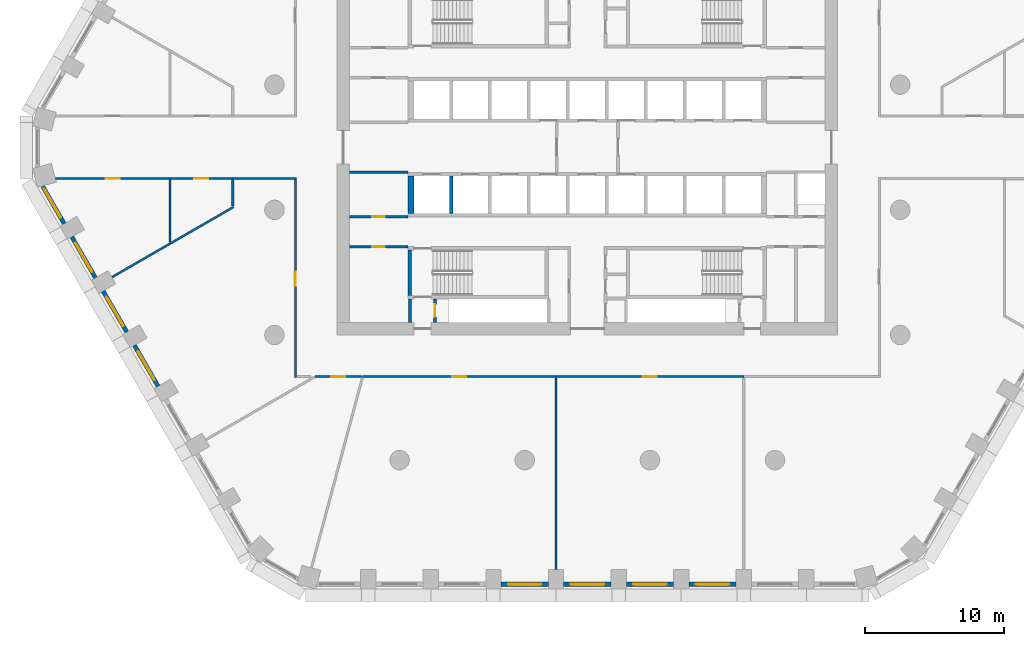
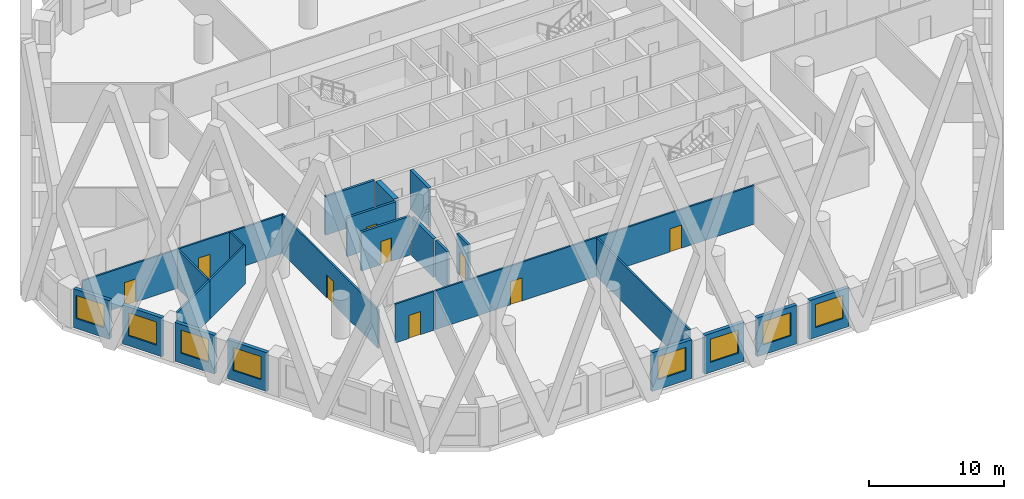
# One storey, part 2 of 18: 28 walls, 9 doors, 8 windows, 17 openings.
"""IFC4 building model written with IfcOpenShell, lengths in metres."""

import ifcopenshell
import ifcopenshell.guid

model = None  # the IFC model being written
_history = None  # IfcOwnerHistory: only IFC2X3 demands one
_inside = {}  # id of a spatial element -> (the spatial element, [elements in it])
_under = {}  # id of a project, library or spatial element -> (it, [spatial elements below it])
_declared = {}  # id of a project -> (the project, [libraries it declares])
_typed = {}  # id of a type object -> (the type object, [elements of that type])
_made_of = {}  # id of a material, layer set ... -> (it, [elements and type objects made of it])


def new_model(schema):
    """Start an empty IFC model of exactly this schema.

    Asked for "IFC4X3", IfcOpenShell would pick the latest addendum, in which some entities
    have other attributes; the version numbers below select the first issue.
    IFC2X3 requires an IfcOwnerHistory on every rooted entity: one is made here for all.
    """
    global model, _history
    if schema == "IFC4X3":
        model = ifcopenshell.file(schema_version=(4, 3, 0, 0))
    else:
        model = ifcopenshell.file(schema=schema)
    _inside.clear()
    _under.clear()
    _declared.clear()
    _typed.clear()
    _made_of.clear()
    _history = None
    if model.schema == "IFC2X3":
        org = make("IfcOrganization", Name="unknown")
        user = make(
            "IfcPersonAndOrganization",
            ThePerson=make("IfcPerson", FamilyName="unknown"),
            TheOrganization=org,
        )
        app = make(
            "IfcApplication",
            ApplicationDeveloper=org,
            Version="unknown",
            ApplicationFullName="unknown",
            ApplicationIdentifier="unknown",
        )
        _history = make(
            "IfcOwnerHistory",
            OwningUser=user,
            OwningApplication=app,
            ChangeAction="ADDED",
            CreationDate=0,
        )
    return model


def make(cls, **values):
    """One entity of the class cls with the attributes given. An attribute that is None is left unset."""
    return model.create_entity(
        cls, **{name: value for name, value in values.items() if value is not None}
    )


def rooted(cls, **values):
    """An entity with a GlobalId (a new one), such as an element, a storey or a relation."""
    return make(cls, GlobalId=ifcopenshell.guid.new(), OwnerHistory=_history, **values)


def si_unit(unit_type, name, prefix=None):
    """IfcSIUnit, for example si_unit("LENGTHUNIT", "METRE", prefix="MILLI")."""
    return make("IfcSIUnit", UnitType=unit_type, Prefix=prefix, Name=name)


def assignment(units):
    """IfcUnitAssignment: the units of a project."""
    return None if units is None else make("IfcUnitAssignment", Units=units)


def point(xyz):
    """IfcCartesianPoint."""
    return None if xyz is None else make("IfcCartesianPoint", Coordinates=xyz)


def direction(xyz):
    """IfcDirection."""
    return None if xyz is None else make("IfcDirection", DirectionRatios=xyz)


def frame(location, z_axis=None, x_axis=None):
    """IfcAxis2Placement3D, a coordinate frame: its origin and axes. An axis left out is left unset."""
    return make(
        "IfcAxis2Placement3D",
        Location=point(location),
        Axis=direction(z_axis),
        RefDirection=direction(x_axis),
    )


def frame_2d(location, x_axis=None):
    """IfcAxis2Placement2D, a coordinate frame in the plane: its origin and x axis."""
    return make(
        "IfcAxis2Placement2D", Location=point(location), RefDirection=direction(x_axis)
    )


def origin():
    """The frame at (0, 0, 0) with its axes left unset."""
    return frame((0.0, 0.0, 0.0))


def place(relative_to, where):
    """IfcLocalPlacement: puts the frame where relative to a parent placement (None: the world)."""
    return make(
        "IfcLocalPlacement", PlacementRelTo=relative_to, RelativePlacement=where
    )


def context(
    kind, dimensions, precision=None, world=None, true_north=None, identifier=None
):
    """IfcGeometricRepresentationContext, for example the 3D "Model" context."""
    return make(
        "IfcGeometricRepresentationContext",
        ContextIdentifier=identifier,
        ContextType=kind,
        CoordinateSpaceDimension=dimensions,
        Precision=precision,
        WorldCoordinateSystem=world,
        TrueNorth=true_north,
    )


def subcontext(parent, identifier, kind, view, scale=None):
    """IfcGeometricRepresentationSubContext, for example "Body" below "Model"."""
    return make(
        "IfcGeometricRepresentationSubContext",
        ContextIdentifier=identifier,
        ContextType=kind,
        ParentContext=parent,
        TargetScale=scale,
        TargetView=view,
    )


def project(units=None, contexts=None):
    """IfcProject with its units and contexts."""
    return rooted(
        "IfcProject",
        Name="project",
        RepresentationContexts=contexts,
        UnitsInContext=assignment(units),
    )


def spatial(cls, under=None, at=None, **own):
    """A site, building, storey or space (cls), placed at a placement, below another one or the project."""
    s = rooted(cls, ObjectPlacement=at, **own)
    if under is not None:
        _under.setdefault(under.id(), (under, []))[1].append(s)
    return s


def polyline(points):
    """IfcPolyline through the points."""
    return make("IfcPolyline", Points=[point(p) for p in points])


def profile(cls, at=None, kind="AREA", **sizes):
    """A parametric profile (cls). Its sizes go by their IFC names, for example OverallWidth=200.0."""
    return make(cls, ProfileType=kind, Position=at, **sizes)


def rectangle(**sizes):
    """IfcRectangleProfileDef."""
    return profile("IfcRectangleProfileDef", **sizes)


def outline(outer, holes=None, kind="AREA"):
    """IfcArbitraryClosedProfileDef: a profile drawn as a closed curve; with holes, ...WithVoids."""
    if holes is None:
        return make("IfcArbitraryClosedProfileDef", ProfileType=kind, OuterCurve=outer)
    return make(
        "IfcArbitraryProfileDefWithVoids",
        ProfileType=kind,
        OuterCurve=outer,
        InnerCurves=holes,
    )


def extrude(swept, where, along, depth):
    """IfcExtrudedAreaSolid: the profile swept, set in the frame where, extruded along a direction by depth."""
    return make(
        "IfcExtrudedAreaSolid",
        SweptArea=swept,
        Position=where,
        ExtrudedDirection=direction(along),
        Depth=depth,
    )


def shape(context_of_items, identifier, shape_type, items):
    """IfcShapeRepresentation: the items that make up one representation, for example the "Body"."""
    return make(
        "IfcShapeRepresentation",
        ContextOfItems=context_of_items,
        RepresentationIdentifier=identifier,
        RepresentationType=shape_type,
        Items=items,
    )


def material(Name=None, Category=None):
    """IfcMaterial."""
    return make("IfcMaterial", Name=Name, Category=Category)


def layer(
    of_material, thickness, ventilated=None, Name=None, Category=None, Priority=None
):
    """IfcMaterialLayer: one layer of a wall or slab, of a material (None: an air gap)."""
    return make(
        "IfcMaterialLayer",
        Material=of_material,
        LayerThickness=thickness,
        IsVentilated=ventilated,
        Name=Name,
        Category=Category,
        Priority=Priority,
    )


def layer_set(layers, Name=None):
    """IfcMaterialLayerSet."""
    return make("IfcMaterialLayerSet", MaterialLayers=layers, LayerSetName=Name)


def made_of(thing, what):
    """Note that an element or type object is made of a material, layer set ...; save() writes the relation."""
    if what is not None:
        _made_of.setdefault(what.id(), (what, []))[1].append(thing)
    return thing


def type_object(cls, material=None, **own):
    """A type object (cls), such as IfcWallType, which elements share."""
    return made_of(rooted(cls, **own), material)


def element(
    cls,
    number,
    at=None,
    inside=None,
    cuts=None,
    type_object=None,
    material=None,
    context=None,
    identifier="Body",
    shape_type=None,
    held_by="IfcProductDefinitionShape",
    body=None,
    shapes=None,
    **own,
):
    """One element of the class cls, such as IfcWall. Its Tag is "e" and its number.

    at: its placement. inside: the storey or other place that contains it. cuts: it is an
    opening in that element (IfcRelVoidsElement). A single representation is given by context,
    identifier, shape_type and body (its items); several are given by shapes. held_by: the class
    of the entity that holds the representations. save() writes the other relations.
    """
    e = rooted(cls, Tag="e%d" % number, ObjectPlacement=at, **own)
    if body is not None:
        shapes = [shape(context, identifier, shape_type, body)]
    if shapes is not None:
        e.Representation = make(held_by, Representations=shapes)
    if inside is not None:
        _inside.setdefault(inside.id(), (inside, []))[1].append(e)
    if cuts is not None:
        rooted(
            "IfcRelVoidsElement", RelatingBuildingElement=cuts, RelatedOpeningElement=e
        )
    if type_object is not None:
        _typed.setdefault(type_object.id(), (type_object, []))[1].append(e)
    return made_of(e, material)


def fill(opening, filler):
    """IfcRelFillsElement: the door or window that sits in an opening."""
    return rooted(
        "IfcRelFillsElement",
        RelatingOpeningElement=opening,
        RelatedBuildingElement=filler,
    )


def aggregate(whole, parts):
    """IfcRelAggregates: a whole, such as a stair, and the parts it consists of."""
    return rooted("IfcRelAggregates", RelatingObject=whole, RelatedObjects=parts)


def save(model, path):
    """Write the relations noted so far, then the file.

    IfcRelAggregates (storeys below a building ...), IfcRelContainedInSpatialStructure (elements
    in a storey), IfcRelDefinesByType, IfcRelAssociatesMaterial and IfcRelDeclares: one each for
    every whole, place, type object, material and project.
    """
    for whole, parts in _under.values():
        aggregate(whole, parts)
    for where, things in _inside.values():
        rooted(
            "IfcRelContainedInSpatialStructure",
            RelatedElements=things,
            RelatingStructure=where,
        )
    for kind, things in _typed.values():
        rooted("IfcRelDefinesByType", RelatedObjects=things, RelatingType=kind)
    for what, things in _made_of.values():
        rooted("IfcRelAssociatesMaterial", RelatedObjects=things, RelatingMaterial=what)
    for by, libraries in _declared.values():
        rooted("IfcRelDeclares", RelatingContext=by, RelatedDefinitions=libraries)
    model.write(path)


model = new_model("IFC4")

# Units and contexts
model_context = context("Model", 3, precision=1e-05, world=origin(), true_north=direction((0.0, 1.0)))
body_context = subcontext(model_context, "Body", "Model", "MODEL_VIEW")
ifc_project = project(units=[si_unit("LENGTHUNIT", "METRE"), si_unit("AREAUNIT", "SQUARE_METRE"), si_unit("VOLUMEUNIT", "CUBIC_METRE"), si_unit("PLANEANGLEUNIT", "RADIAN"), si_unit("MASSUNIT", "GRAM", prefix="KILO")], contexts=[model_context])

# Site, building, storey
site_placement = place(None, origin())
site = spatial("IfcSite", under=ifc_project, at=site_placement, CompositionType="ELEMENT")
building_placement = place(site_placement, origin())
building = spatial("IfcBuilding", under=site, at=building_placement, Name="Dhurran Vertical Campus", CompositionType="ELEMENT")
storey_placement = place(building_placement, frame((0.0, 0.0, 30.0)))
storey = spatial("IfcBuildingStorey", under=building, at=storey_placement, Name="L06", CompositionType="ELEMENT", Elevation=30.0)

# Wall, opening, window
ifc_material_1 = material(Name="Precast concrete C50/60", Category="concrete")
ifc_layer_1 = layer(ifc_material_1, 0.300048828125)
ifc_layer_set_1 = layer_set([ifc_layer_1], Name="Precast concrete C50/60")
wall_type_1 = type_object("IfcWallType", Name="Precast spandrel wall 300", PredefinedType="SOLIDWALL", material=ifc_layer_set_1)
wall_1_placement = place(storey_placement, frame((-6.199462890625, -31.4296875, 0.0), z_axis=(0.0, 0.0, 1.0), x_axis=(1.0, 0.0, 0.0)))
wall_1 = element("IfcWall", 1, at=wall_1_placement, inside=storey, type_object=wall_type_1, Name="EW1 L06.03", PredefinedType="SOLIDWALL", context=body_context, shape_type="SweptSolid", body=[
    extrude(rectangle(XDim=3.39892578125, YDim=0.300048828125, at=frame_2d((1.699462890625, 0.0))), origin(), (0.0, 0.0, 1.0), 3.52490234375),
])
opening_1_placement = place(wall_1_placement, frame((0.49951171875, 0.0, 0.89990234375)))
opening_1 = element("IfcOpeningElement", 2, at=opening_1_placement, cuts=wall_1, Name="Opening WT1", PredefinedType="OPENING", context=body_context, shape_type="SweptSolid", body=[
    extrude(rectangle(XDim=2.39990234375, YDim=2.10009765625, at=frame_2d((1.199951171875, 1.050048828125))), frame((0.0, 0.159912109375, 0.0), z_axis=(0.0, -1.0, 0.0), x_axis=(1.0, 0.0, 0.0)), (0.0, 0.0, 1.0), 0.320068359375),
])
ifc_material_2 = material(Name="Aluminium frame with solar-control glass", Category="aluminium")
window_type = type_object("IfcWindowType", Name="Punched window 2400 x 2100", PartitioningType="SINGLE_PANEL", PredefinedType="WINDOW", material=ifc_material_2)
window_1_placement = place(opening_1_placement, origin())
window_1 = element("IfcWindow", 3, at=window_1_placement, inside=storey, type_object=window_type, Name="WT1 L06.03", OverallHeight=2.10009765625, OverallWidth=2.39990234375, PartitioningType="SINGLE_PANEL", PredefinedType="WINDOW", context=body_context, shape_type="SweptSolid", body=[
    extrude(rectangle(XDim=2.39990234375, YDim=2.10009765625, at=frame_2d((1.199951171875, 1.050048828125))), frame((0.0, 0.030029296875, 0.0), z_axis=(0.0, -1.0, 0.0), x_axis=(1.0, 0.0, 0.0)), (0.0, 0.0, 1.0), 0.06005859375),
])
fill(opening_1, window_1)

wall_2_placement = place(storey_placement, frame((-1.699462890625, -31.4296875, 0.0), z_axis=(0.0, 0.0, 1.0), x_axis=(1.0, 0.0, 0.0)))
wall_2 = element("IfcWall", 4, at=wall_2_placement, inside=storey, type_object=wall_type_1, Name="EW1 L06.04", PredefinedType="SOLIDWALL", context=body_context, shape_type="SweptSolid", body=[
    extrude(rectangle(XDim=3.39892578125, YDim=0.300048828125, at=frame_2d((1.699462890625, 0.0))), origin(), (0.0, 0.0, 1.0), 3.52490234375),
])
opening_2_placement = place(wall_2_placement, frame((0.49951171875, 0.0, 0.89990234375)))
opening_2 = element("IfcOpeningElement", 5, at=opening_2_placement, cuts=wall_2, Name="Opening WT1", PredefinedType="OPENING", context=body_context, shape_type="SweptSolid", body=[
    extrude(rectangle(XDim=2.39990234375, YDim=2.10009765625, at=frame_2d((1.199951171875, 1.050048828125))), frame((0.0, 0.159912109375, 0.0), z_axis=(0.0, -1.0, 0.0), x_axis=(1.0, 0.0, 0.0)), (0.0, 0.0, 1.0), 0.320068359375),
])
window_2_placement = place(opening_2_placement, origin())
window_2 = element("IfcWindow", 6, at=window_2_placement, inside=storey, type_object=window_type, Name="WT1 L06.04", OverallHeight=2.10009765625, OverallWidth=2.39990234375, PartitioningType="SINGLE_PANEL", PredefinedType="WINDOW", context=body_context, shape_type="SweptSolid", body=[
    extrude(rectangle(XDim=2.39990234375, YDim=2.10009765625, at=frame_2d((1.199951171875, 1.050048828125))), frame((0.0, 0.030029296875, 0.0), z_axis=(0.0, -1.0, 0.0), x_axis=(1.0, 0.0, 0.0)), (0.0, 0.0, 1.0), 0.06005859375),
])
fill(opening_2, window_2)

wall_3_placement = place(storey_placement, frame((2.800537109375, -31.4296875, 0.0), z_axis=(0.0, 0.0, 1.0), x_axis=(1.0, 0.0, 0.0)))
wall_3 = element("IfcWall", 7, at=wall_3_placement, inside=storey, type_object=wall_type_1, Name="EW1 L06.05", PredefinedType="SOLIDWALL", context=body_context, shape_type="SweptSolid", body=[
    extrude(rectangle(XDim=3.39892578125, YDim=0.300048828125, at=frame_2d((1.699462890625, 0.0))), origin(), (0.0, 0.0, 1.0), 3.52490234375),
])
opening_3_placement = place(wall_3_placement, frame((0.49951171875, 0.0, 0.89990234375)))
opening_3 = element("IfcOpeningElement", 8, at=opening_3_placement, cuts=wall_3, Name="Opening WT1", PredefinedType="OPENING", context=body_context, shape_type="SweptSolid", body=[
    extrude(rectangle(XDim=2.39990234375, YDim=2.10009765625, at=frame_2d((1.199951171875, 1.050048828125))), frame((0.0, 0.159912109375, 0.0), z_axis=(0.0, -1.0, 0.0), x_axis=(1.0, 0.0, 0.0)), (0.0, 0.0, 1.0), 0.320068359375),
])
window_3_placement = place(opening_3_placement, origin())
window_3 = element("IfcWindow", 9, at=window_3_placement, inside=storey, type_object=window_type, Name="WT1 L06.05", OverallHeight=2.10009765625, OverallWidth=2.39990234375, PartitioningType="SINGLE_PANEL", PredefinedType="WINDOW", context=body_context, shape_type="SweptSolid", body=[
    extrude(rectangle(XDim=2.39990234375, YDim=2.10009765625, at=frame_2d((1.199951171875, 1.050048828125))), frame((0.0, 0.030029296875, 0.0), z_axis=(0.0, -1.0, 0.0), x_axis=(1.0, 0.0, 0.0)), (0.0, 0.0, 1.0), 0.06005859375),
])
fill(opening_3, window_3)

wall_4_placement = place(storey_placement, frame((7.300537109375, -31.4296875, 0.0), z_axis=(0.0, 0.0, 1.0), x_axis=(1.0, 0.0, 0.0)))
wall_4 = element("IfcWall", 10, at=wall_4_placement, inside=storey, type_object=wall_type_1, Name="EW1 L06.06", PredefinedType="SOLIDWALL", context=body_context, shape_type="SweptSolid", body=[
    extrude(rectangle(XDim=3.39892578125, YDim=0.300048828125, at=frame_2d((1.699462890625, 0.0))), origin(), (0.0, 0.0, 1.0), 3.52490234375),
])
opening_4_placement = place(wall_4_placement, frame((0.49951171875, 0.0, 0.89990234375)))
opening_4 = element("IfcOpeningElement", 11, at=opening_4_placement, cuts=wall_4, Name="Opening WT1", PredefinedType="OPENING", context=body_context, shape_type="SweptSolid", body=[
    extrude(rectangle(XDim=2.39990234375, YDim=2.10009765625, at=frame_2d((1.199951171875, 1.050048828125))), frame((0.0, 0.159912109375, 0.0), z_axis=(0.0, -1.0, 0.0), x_axis=(1.0, 0.0, 0.0)), (0.0, 0.0, 1.0), 0.320068359375),
])
window_4_placement = place(opening_4_placement, origin())
window_4 = element("IfcWindow", 12, at=window_4_placement, inside=storey, type_object=window_type, Name="WT1 L06.06", OverallHeight=2.10009765625, OverallWidth=2.39990234375, PartitioningType="SINGLE_PANEL", PredefinedType="WINDOW", context=body_context, shape_type="SweptSolid", body=[
    extrude(rectangle(XDim=2.39990234375, YDim=2.10009765625, at=frame_2d((1.199951171875, 1.050048828125))), frame((0.0, 0.030029296875, 0.0), z_axis=(0.0, -1.0, 0.0), x_axis=(1.0, 0.0, 0.0)), (0.0, 0.0, 1.0), 0.06005859375),
])
fill(opening_4, window_4)

wall_5_placement = place(storey_placement, frame((-39.16455078125, -2.81884765625, 0.0), z_axis=(0.0, 0.0, 1.0), x_axis=(0.49997090907, -0.866042198789, 0.0)))
wall_5 = element("IfcWall", 13, at=wall_5_placement, inside=storey, type_object=wall_type_1, Name="EW1 L06.44", PredefinedType="SOLIDWALL", context=body_context, shape_type="SweptSolid", body=[
    extrude(rectangle(XDim=3.090576171875, YDim=0.300048828125, at=frame_2d((1.54541015625, 0.0))), origin(), (0.0, 0.0, 1.0), 3.52490234375),
])
opening_5_placement = place(wall_5_placement, frame((0.19091796875, 0.0, 0.89990234375)))
opening_5 = element("IfcOpeningElement", 14, at=opening_5_placement, cuts=wall_5, Name="Opening WT1", PredefinedType="OPENING", context=body_context, shape_type="SweptSolid", body=[
    extrude(rectangle(XDim=2.39990234375, YDim=2.10009765625, at=frame_2d((1.199951171875, 1.050048828125))), frame((0.0, 0.159912109375, 0.0), z_axis=(0.0, -1.0, 0.0), x_axis=(1.0, 0.0, 0.0)), (0.0, 0.0, 1.0), 0.320068359375),
])
window_5_placement = place(opening_5_placement, origin())
window_5 = element("IfcWindow", 15, at=window_5_placement, inside=storey, type_object=window_type, Name="WT1 L06.44", OverallHeight=2.10009765625, OverallWidth=2.39990234375, PartitioningType="SINGLE_PANEL", PredefinedType="WINDOW", context=body_context, shape_type="SweptSolid", body=[
    extrude(rectangle(XDim=2.39990234375, YDim=2.10009765625, at=frame_2d((1.199951171875, 1.050048828125))), frame((0.0, 0.030029296875, 0.0), z_axis=(0.0, -1.0, 0.0), x_axis=(1.0, 0.0, 0.0)), (0.0, 0.0, 1.0), 0.06005859375),
])
fill(opening_5, window_5)

wall_6_placement = place(storey_placement, frame((-37.06884765625, -6.448974609375, 0.0), z_axis=(0.0, 0.0, 1.0), x_axis=(0.499993955907, -0.866028893315, 0.0)))
wall_6 = element("IfcWall", 16, at=wall_6_placement, inside=storey, type_object=wall_type_1, Name="EW1 L06.45", PredefinedType="SOLIDWALL", context=body_context, shape_type="SweptSolid", body=[
    extrude(rectangle(XDim=3.39892578125, YDim=0.300048828125, at=frame_2d((1.699462890625, 0.0))), origin(), (0.0, 0.0, 1.0), 3.52490234375),
])
opening_6_placement = place(wall_6_placement, frame((0.49951171875, 0.0, 0.89990234375)))
opening_6 = element("IfcOpeningElement", 17, at=opening_6_placement, cuts=wall_6, Name="Opening WT1", PredefinedType="OPENING", context=body_context, shape_type="SweptSolid", body=[
    extrude(rectangle(XDim=2.39990234375, YDim=2.10009765625, at=frame_2d((1.199951171875, 1.050048828125))), frame((0.0, 0.159912109375, 0.0), z_axis=(0.0, -1.0, 0.0), x_axis=(1.0, 0.0, 0.0)), (0.0, 0.0, 1.0), 0.320068359375),
])
window_6_placement = place(opening_6_placement, origin())
window_6 = element("IfcWindow", 18, at=window_6_placement, inside=storey, type_object=window_type, Name="WT1 L06.45", OverallHeight=2.10009765625, OverallWidth=2.39990234375, PartitioningType="SINGLE_PANEL", PredefinedType="WINDOW", context=body_context, shape_type="SweptSolid", body=[
    extrude(rectangle(XDim=2.39990234375, YDim=2.10009765625, at=frame_2d((1.199951171875, 1.050048828125))), frame((0.0, 0.030029296875, 0.0), z_axis=(0.0, -1.0, 0.0), x_axis=(1.0, 0.0, 0.0)), (0.0, 0.0, 1.0), 0.06005859375),
])
fill(opening_6, window_6)

wall_7_placement = place(storey_placement, frame((-34.81884765625, -10.345947265625, 0.0), z_axis=(0.0, 0.0, 1.0), x_axis=(0.499993955907, -0.866028893315, 0.0)))
wall_7 = element("IfcWall", 19, at=wall_7_placement, inside=storey, type_object=wall_type_1, Name="EW1 L06.46", PredefinedType="SOLIDWALL", context=body_context, shape_type="SweptSolid", body=[
    extrude(rectangle(XDim=3.39892578125, YDim=0.300048828125, at=frame_2d((1.699462890625, 0.0))), origin(), (0.0, 0.0, 1.0), 3.52490234375),
])
opening_7_placement = place(wall_7_placement, frame((0.49951171875, 0.0, 0.89990234375)))
opening_7 = element("IfcOpeningElement", 20, at=opening_7_placement, cuts=wall_7, Name="Opening WT1", PredefinedType="OPENING", context=body_context, shape_type="SweptSolid", body=[
    extrude(rectangle(XDim=2.39990234375, YDim=2.10009765625, at=frame_2d((1.199951171875, 1.050048828125))), frame((0.0, 0.159912109375, 0.0), z_axis=(0.0, -1.0, 0.0), x_axis=(1.0, 0.0, 0.0)), (0.0, 0.0, 1.0), 0.320068359375),
])
window_7_placement = place(opening_7_placement, origin())
window_7 = element("IfcWindow", 21, at=window_7_placement, inside=storey, type_object=window_type, Name="WT1 L06.46", OverallHeight=2.10009765625, OverallWidth=2.39990234375, PartitioningType="SINGLE_PANEL", PredefinedType="WINDOW", context=body_context, shape_type="SweptSolid", body=[
    extrude(rectangle(XDim=2.39990234375, YDim=2.10009765625, at=frame_2d((1.199951171875, 1.050048828125))), frame((0.0, 0.030029296875, 0.0), z_axis=(0.0, -1.0, 0.0), x_axis=(1.0, 0.0, 0.0)), (0.0, 0.0, 1.0), 0.06005859375),
])
fill(opening_7, window_7)

wall_8_placement = place(storey_placement, frame((-32.56884765625, -14.2431640625, 0.0), z_axis=(0.0, 0.0, 1.0), x_axis=(0.499993955907, -0.866028893315, 0.0)))
wall_8 = element("IfcWall", 22, at=wall_8_placement, inside=storey, type_object=wall_type_1, Name="EW1 L06.47", PredefinedType="SOLIDWALL", context=body_context, shape_type="SweptSolid", body=[
    extrude(rectangle(XDim=3.39892578125, YDim=0.300048828125, at=frame_2d((1.699462890625, 0.0))), origin(), (0.0, 0.0, 1.0), 3.52490234375),
])
opening_8_placement = place(wall_8_placement, frame((0.49951171875, 0.0, 0.89990234375)))
opening_8 = element("IfcOpeningElement", 23, at=opening_8_placement, cuts=wall_8, Name="Opening WT1", PredefinedType="OPENING", context=body_context, shape_type="SweptSolid", body=[
    extrude(rectangle(XDim=2.39990234375, YDim=2.10009765625, at=frame_2d((1.199951171875, 1.050048828125))), frame((0.0, 0.159912109375, 0.0), z_axis=(0.0, -1.0, 0.0), x_axis=(1.0, 0.0, 0.0)), (0.0, 0.0, 1.0), 0.320068359375),
])
window_8_placement = place(opening_8_placement, origin())
window_8 = element("IfcWindow", 24, at=window_8_placement, inside=storey, type_object=window_type, Name="WT1 L06.47", OverallHeight=2.10009765625, OverallWidth=2.39990234375, PartitioningType="SINGLE_PANEL", PredefinedType="WINDOW", context=body_context, shape_type="SweptSolid", body=[
    extrude(rectangle(XDim=2.39990234375, YDim=2.10009765625, at=frame_2d((1.199951171875, 1.050048828125))), frame((0.0, 0.030029296875, 0.0), z_axis=(0.0, -1.0, 0.0), x_axis=(1.0, 0.0, 0.0)), (0.0, 0.0, 1.0), 0.06005859375),
])
fill(opening_8, window_8)

# Wall
ifc_material_3 = material(Name="Fire-rated masonry blockwork", Category="masonry")
ifc_layer_2 = layer(ifc_material_3, 0.199951171875)
ifc_layer_set_2 = layer_set([ifc_layer_2], Name="Fire-rated masonry blockwork")
wall_type_2 = type_object("IfcWallType", Name="co-FIRE-PARTITION-200", PredefinedType="PARTITIONING", material=ifc_layer_set_2)
wall_9_placement = place(storey_placement, frame((-12.75, -12.60009765625, 0.0), z_axis=(0.0, 0.0, 1.0), x_axis=(0.0, 1.0, 0.0)))
element("IfcWall", 25, at=wall_9_placement, inside=storey, type_object=wall_type_2, Name="Core partition pass-ST3-o L06", PredefinedType="PARTITIONING", context=body_context, shape_type="SweptSolid", body=[
    extrude(rectangle(XDim=1.7001953125, YDim=0.199951171875, at=frame_2d((0.85009765625, 0.0))), origin(), (0.0, 0.0, 1.0), 3.52490234375),
])

# Wall, opening, door
wall_10_placement = place(storey_placement, frame((-10.949951171875, -12.60009765625, 0.0), z_axis=(0.0, 0.0, 1.0), x_axis=(0.0, 1.0, 0.0)))
wall_10 = element("IfcWall", 26, at=wall_10_placement, inside=storey, type_object=wall_type_2, Name="Core partition pass-ST3-i L06", PredefinedType="PARTITIONING", context=body_context, shape_type="SweptSolid", body=[
    extrude(rectangle(XDim=1.7001953125, YDim=0.199951171875, at=frame_2d((0.85009765625, 0.0))), origin(), (0.0, 0.0, 1.0), 3.52490234375),
])
opening_9_placement = place(wall_10_placement, frame((0.39990234375, 0.0, 0.0)))
opening_9 = element("IfcOpeningElement", 27, at=opening_9_placement, cuts=wall_10, Name="Opening T01-C11", PredefinedType="OPENING", context=body_context, shape_type="SweptSolid", body=[
    extrude(rectangle(XDim=0.89990234375, YDim=2.10009765625, at=frame_2d((0.449951171875, 1.050048828125))), frame((0.0, 0.10986328125, 0.0), z_axis=(0.0, -1.0, 0.0), x_axis=(1.0, 0.0, 0.0)), (0.0, 0.0, 1.0), 0.219970703125),
])
ifc_material_4 = material(Name="Fire-rated timber door set", Category="wood")
door_type_1 = type_object("IfcDoorType", Name="co-D-ROOM 900x2100", OperationType="SINGLE_SWING_LEFT", PredefinedType="DOOR", material=ifc_material_4)
door_1_placement = place(opening_9_placement, origin())
door_1 = element("IfcDoor", 28, at=door_1_placement, inside=storey, type_object=door_type_1, Name="Riser room door L06", OperationType="SINGLE_SWING_LEFT", OverallHeight=2.10009765625, OverallWidth=0.89990234375, PredefinedType="DOOR", context=body_context, shape_type="SweptSolid", body=[
    extrude(rectangle(XDim=0.89990234375, YDim=2.10009765625, at=frame_2d((0.449951171875, 1.050048828125))), frame((0.0, 0.02490234375, 0.0), z_axis=(0.0, -1.0, 0.0), x_axis=(1.0, 0.0, 0.0)), (0.0, 0.0, 1.0), 0.050048828125),
])
fill(opening_9, door_1)

wall_11_placement = place(storey_placement, frame((-17.10009765625, -7.14990234375, 0.0), z_axis=(0.0, 0.0, 1.0), x_axis=(1.0, 0.0, 0.0)))
wall_11 = element("IfcWall", 29, at=wall_11_placement, inside=storey, type_object=wall_type_2, Name="Core partition en-SW-w L06", PredefinedType="PARTITIONING", context=body_context, shape_type="SweptSolid", body=[
    extrude(rectangle(XDim=4.2001953125, YDim=0.199951171875, at=frame_2d((2.10009765625, 0.0))), origin(), (0.0, 0.0, 1.0), 3.52490234375),
])
opening_10_placement = place(wall_11_placement, frame((1.64990234375, 0.0, 0.0)))
opening_10 = element("IfcOpeningElement", 30, at=opening_10_placement, cuts=wall_11, Name="Opening T01-C17", PredefinedType="OPENING", context=body_context, shape_type="SweptSolid", body=[
    extrude(rectangle(XDim=0.89990234375, YDim=2.10009765625, at=frame_2d((0.449951171875, 1.050048828125))), frame((0.0, 0.10986328125, 0.0), z_axis=(0.0, -1.0, 0.0), x_axis=(1.0, 0.0, 0.0)), (0.0, 0.0, 1.0), 0.219970703125),
])
door_2_placement = place(opening_10_placement, origin())
door_2 = element("IfcDoor", 31, at=door_2_placement, inside=storey, type_object=door_type_1, Name="Cleaner's store door L06", OperationType="SINGLE_SWING_LEFT", OverallHeight=2.10009765625, OverallWidth=0.89990234375, PredefinedType="DOOR", context=body_context, shape_type="SweptSolid", body=[
    extrude(rectangle(XDim=0.89990234375, YDim=2.10009765625, at=frame_2d((0.449951171875, 1.050048828125))), frame((0.0, 0.02490234375, 0.0), z_axis=(0.0, -1.0, 0.0), x_axis=(1.0, 0.0, 0.0)), (0.0, 0.0, 1.0), 0.050048828125),
])
fill(opening_10, door_2)

wall_12_placement = place(storey_placement, frame((-17.10009765625, -5.0, 0.0), z_axis=(0.0, 0.0, 1.0), x_axis=(1.0, 0.0, 0.0)))
wall_12 = element("IfcWall", 32, at=wall_12_placement, inside=storey, type_object=wall_type_2, Name="Core partition es-SW-w L06", PredefinedType="PARTITIONING", context=body_context, shape_type="SweptSolid", body=[
    extrude(rectangle(XDim=4.2001953125, YDim=0.199951171875, at=frame_2d((2.10009765625, 0.0))), origin(), (0.0, 0.0, 1.0), 3.52490234375),
])
opening_11_placement = place(wall_12_placement, frame((1.64990234375, 0.0, 0.0)))
opening_11 = element("IfcOpeningElement", 33, at=opening_11_placement, cuts=wall_12, Name="Opening T01-C18", PredefinedType="OPENING", context=body_context, shape_type="SweptSolid", body=[
    extrude(rectangle(XDim=0.89990234375, YDim=2.10009765625, at=frame_2d((0.449951171875, 1.050048828125))), frame((0.0, 0.10986328125, 0.0), z_axis=(0.0, -1.0, 0.0), x_axis=(1.0, 0.0, 0.0)), (0.0, 0.0, 1.0), 0.219970703125),
])
door_3_placement = place(opening_11_placement, origin())
door_3 = element("IfcDoor", 34, at=door_3_placement, inside=storey, type_object=door_type_1, Name="Server room door L06", OperationType="SINGLE_SWING_LEFT", OverallHeight=2.10009765625, OverallWidth=0.89990234375, PredefinedType="DOOR", context=body_context, shape_type="SweptSolid", body=[
    extrude(rectangle(XDim=0.89990234375, YDim=2.10009765625, at=frame_2d((0.449951171875, 1.050048828125))), frame((0.0, 0.02490234375, 0.0), z_axis=(0.0, -1.0, 0.0), x_axis=(1.0, 0.0, 0.0)), (0.0, 0.0, 1.0), 0.050048828125),
])
fill(opening_11, door_3)

# Walls
wall_13_placement = place(storey_placement, frame((-17.10009765625, -1.800048828125, 0.0), z_axis=(0.0, 0.0, 1.0), x_axis=(1.0, 0.0, 0.0)))
element("IfcWall", 35, at=wall_13_placement, inside=storey, type_object=wall_type_2, Name="Core partition es-SW-l L06", PredefinedType="PARTITIONING", context=body_context, shape_type="SweptSolid", body=[
    extrude(rectangle(XDim=4.2001953125, YDim=0.199951171875, at=frame_2d((2.10009765625, 0.0))), origin(), (0.0, 0.0, 1.0), 3.52490234375),
])
ifc_material_5 = material(Name="Concrete C50/60", Category="concrete")
ifc_layer_3 = layer(ifc_material_5, 0.25)
ifc_layer_set_3 = layer_set([ifc_layer_3], Name="Concrete C50/60")
wall_type_3 = type_object("IfcWallType", Name="co-SHAFT-MASS-250", PredefinedType="SHEAR", material=ifc_layer_set_3)
wall_14_placement = place(storey_placement, origin())
element("IfcWall", 36, at=wall_14_placement, inside=storey, type_object=wall_type_3, Name="Lift shaft wall S L06 2", PredefinedType="SHEAR", context=body_context, shape_type="SweptSolid", body=[
    extrude(outline(polyline([(-12.89990234375, -4.75), (-12.47509765625, -4.75), (-12.47509765625, -2.050048828125), (-12.89990234375, -2.050048828125), (-12.89990234375, -4.75)])), origin(), (0.0, 0.0, 1.0), 3.52490234375),
])
wall_15_placement = place(storey_placement, origin())
element("IfcWall", 37, at=wall_15_placement, inside=storey, type_object=wall_type_3, Name="Lift shaft wall S L06 3", PredefinedType="SHEAR", context=body_context, shape_type="SweptSolid", body=[
    extrude(outline(polyline([(-9.925048828125, -4.75), (-9.675048828125, -4.75), (-9.675048828125, -2.050048828125), (-9.925048828125, -2.050048828125), (-9.925048828125, -4.75)])), origin(), (0.0, 0.0, 1.0), 3.52490234375),
])
ifc_material_6 = material(Name="Concrete C40/50", Category="concrete")
ifc_layer_4 = layer(ifc_material_6, 0.25)
ifc_layer_set_4 = layer_set([ifc_layer_4], Name="Concrete C40/50")
wall_type_4 = type_object("IfcWallType", Name="co-STAIR-WALL-250", PredefinedType="SHEAR", material=ifc_layer_set_4)
wall_16_placement = place(storey_placement, frame((-12.77490234375, -10.64990234375, 0.0), z_axis=(0.0, 0.0, 1.0), x_axis=(0.0, 1.0, 0.0)))
element("IfcWall", 38, at=wall_16_placement, inside=storey, type_object=wall_type_4, Name="Stair ST3 enclosure wall L06", PredefinedType="SHEAR", context=body_context, shape_type="SweptSolid", body=[
    extrude(rectangle(XDim=3.25, YDim=0.25, at=frame_2d((1.625, 0.0))), origin(), (0.0, 0.0, 1.0), 3.52490234375),
])

# Wall, opening, door
ifc_material_7 = material(Name="Gypsum board corridor wall on steel studs", Category="steel")
ifc_layer_5 = layer(ifc_material_7, 0.14990234375)
ifc_layer_set_5 = layer_set([ifc_layer_5], Name="Gypsum board corridor wall on steel studs")
wall_type_5 = type_object("IfcWallType", Name="fl-CW-150 corridor wall", PredefinedType="PARTITIONING", material=ifc_layer_set_5)
wall_17_placement = place(storey_placement, frame((-30.0, -2.25, 0.0), z_axis=(0.0, 0.0, 1.0), x_axis=(-1.0, 0.0, 0.0)))
wall_17 = element("IfcWall", 39, at=wall_17_placement, inside=storey, type_object=wall_type_5, Name="Partition 06-01", PredefinedType="PARTITIONING", context=body_context, shape_type="SweptSolid", body=[
    extrude(rectangle(XDim=8.23291015625, YDim=0.14990234375, at=frame_2d((4.116455078125, 0.0))), origin(), (0.0, 0.0, 1.0), 3.52490234375),
])
opening_12_placement = place(wall_17_placement, frame((3.616455078125, 0.0, 0.0)))
opening_12 = element("IfcOpeningElement", 40, at=opening_12_placement, cuts=wall_17, Name="Opening T01.01", PredefinedType="OPENING", context=body_context, shape_type="SweptSolid", body=[
    extrude(rectangle(XDim=1.0, YDim=2.10009765625, at=frame_2d((0.5, 1.050048828125))), frame((0.0, 0.0849609375, 0.0), z_axis=(0.0, -1.0, 0.0), x_axis=(1.0, 0.0, 0.0)), (0.0, 0.0, 1.0), 0.169921875),
])
ifc_material_8 = material(Name="Solid-core timber door set, fire-rated", Category="wood")
door_type_2 = type_object("IfcDoorType", Name="fl-D-1000x2100", OperationType="SINGLE_SWING_LEFT", PredefinedType="DOOR", material=ifc_material_8)
door_4_placement = place(opening_12_placement, origin())
door_4 = element("IfcDoor", 41, at=door_4_placement, inside=storey, type_object=door_type_2, Name="Door 06.01", OperationType="SINGLE_SWING_RIGHT", OverallHeight=2.10009765625, OverallWidth=1.0, PredefinedType="DOOR", context=body_context, shape_type="SweptSolid", body=[
    extrude(rectangle(XDim=1.0, YDim=2.10009765625, at=frame_2d((0.5, 1.050048828125))), frame((0.0, 0.02490234375, 0.0), z_axis=(0.0, -1.0, 0.0), x_axis=(1.0, 0.0, 0.0)), (0.0, 0.0, 1.0), 0.050048828125),
])
fill(opening_12, door_4)

wall_18_placement = place(storey_placement, frame((-25.5, -2.25, 0.0), z_axis=(0.0, 0.0, 1.0), x_axis=(-1.0, 0.0, 0.0)))
wall_18 = element("IfcWall", 42, at=wall_18_placement, inside=storey, type_object=wall_type_5, Name="Partition 06-07", PredefinedType="PARTITIONING", context=body_context, shape_type="SweptSolid", body=[
    extrude(rectangle(XDim=4.5, YDim=0.14990234375, at=frame_2d((2.25, 0.0))), origin(), (0.0, 0.0, 1.0), 3.52490234375),
])
opening_13_placement = place(wall_18_placement, frame((1.75, 0.0, 0.0)))
opening_13 = element("IfcOpeningElement", 43, at=opening_13_placement, cuts=wall_18, Name="Opening T01.03", PredefinedType="OPENING", context=body_context, shape_type="SweptSolid", body=[
    extrude(rectangle(XDim=1.0, YDim=2.10009765625, at=frame_2d((0.5, 1.050048828125))), frame((0.0, 0.0849609375, 0.0), z_axis=(0.0, -1.0, 0.0), x_axis=(1.0, 0.0, 0.0)), (0.0, 0.0, 1.0), 0.169921875),
])
door_5_placement = place(opening_13_placement, origin())
door_5 = element("IfcDoor", 44, at=door_5_placement, inside=storey, type_object=door_type_2, Name="Door 06.03", OperationType="SINGLE_SWING_RIGHT", OverallHeight=2.10009765625, OverallWidth=1.0, PredefinedType="DOOR", context=body_context, shape_type="SweptSolid", body=[
    extrude(rectangle(XDim=1.0, YDim=2.10009765625, at=frame_2d((0.5, 1.050048828125))), frame((0.0, 0.02490234375, 0.0), z_axis=(0.0, -1.0, 0.0), x_axis=(1.0, 0.0, 0.0)), (0.0, 0.0, 1.0), 0.050048828125),
])
fill(opening_13, door_5)

# Wall
wall_19_placement = place(storey_placement, frame((-20.925048828125, -2.25, 0.0), z_axis=(0.0, 0.0, 1.0), x_axis=(-1.0, 0.0, 0.0)))
element("IfcWall", 45, at=wall_19_placement, inside=storey, type_object=wall_type_5, Name="Partition 06-14", PredefinedType="PARTITIONING", context=body_context, shape_type="SweptSolid", body=[
    extrude(rectangle(XDim=4.574951171875, YDim=0.14990234375, at=frame_2d((2.28759765625, 0.0))), origin(), (0.0, 0.0, 1.0), 3.52490234375),
])

# Wall, opening, door
wall_20_placement = place(storey_placement, frame((-21.0, -2.324951171875, 0.0), z_axis=(0.0, 0.0, 1.0), x_axis=(0.0, -1.0, 0.0)))
wall_20 = element("IfcWall", 46, at=wall_20_placement, inside=storey, type_object=wall_type_5, Name="Partition 06-17", PredefinedType="PARTITIONING", context=body_context, shape_type="SweptSolid", body=[
    extrude(rectangle(XDim=14.25, YDim=0.14990234375, at=frame_2d((7.125, 0.0))), origin(), (0.0, 0.0, 1.0), 3.52490234375),
])
opening_14_placement = place(wall_20_placement, frame((6.625, 0.0, 0.0)))
opening_14 = element("IfcOpeningElement", 47, at=opening_14_placement, cuts=wall_20, Name="Opening T01.05", PredefinedType="OPENING", context=body_context, shape_type="SweptSolid", body=[
    extrude(rectangle(XDim=1.0, YDim=2.10009765625, at=frame_2d((0.5, 1.050048828125))), frame((0.0, 0.0849609375, 0.0), z_axis=(0.0, -1.0, 0.0), x_axis=(1.0, 0.0, 0.0)), (0.0, 0.0, 1.0), 0.169921875),
])
door_6_placement = place(opening_14_placement, origin())
door_6 = element("IfcDoor", 48, at=door_6_placement, inside=storey, type_object=door_type_2, Name="Door 06.05", OperationType="SINGLE_SWING_LEFT", OverallHeight=2.10009765625, OverallWidth=1.0, PredefinedType="DOOR", context=body_context, shape_type="SweptSolid", body=[
    extrude(rectangle(XDim=1.0, YDim=2.10009765625, at=frame_2d((0.5, 1.050048828125))), frame((0.0, 0.02490234375, 0.0), z_axis=(0.0, -1.0, 0.0), x_axis=(1.0, 0.0, 0.0)), (0.0, 0.0, 1.0), 0.050048828125),
])
fill(opening_14, door_6)

wall_21_placement = place(storey_placement, frame((-19.5791015625, -16.5, 0.0), z_axis=(0.0, 0.0, 1.0), x_axis=(1.0, 0.0, 0.0)))
wall_21 = element("IfcWall", 49, at=wall_21_placement, inside=storey, type_object=wall_type_5, Name="Partition 06-22", PredefinedType="PARTITIONING", context=body_context, shape_type="SweptSolid", body=[
    extrude(rectangle(XDim=3.328125, YDim=0.14990234375, at=frame_2d((1.6640625, 0.0))), origin(), (0.0, 0.0, 1.0), 3.52490234375),
])
opening_15_placement = place(wall_21_placement, frame((1.1640625, 0.0, 0.0)))
opening_15 = element("IfcOpeningElement", 50, at=opening_15_placement, cuts=wall_21, Name="Opening T01.07", PredefinedType="OPENING", context=body_context, shape_type="SweptSolid", body=[
    extrude(rectangle(XDim=1.0, YDim=2.10009765625, at=frame_2d((0.5, 1.050048828125))), frame((0.0, 0.0849609375, 0.0), z_axis=(0.0, -1.0, 0.0), x_axis=(1.0, 0.0, 0.0)), (0.0, 0.0, 1.0), 0.169921875),
])
door_7_placement = place(opening_15_placement, origin())
door_7 = element("IfcDoor", 51, at=door_7_placement, inside=storey, type_object=door_type_2, Name="Door 06.07", OperationType="SINGLE_SWING_LEFT", OverallHeight=2.10009765625, OverallWidth=1.0, PredefinedType="DOOR", context=body_context, shape_type="SweptSolid", body=[
    extrude(rectangle(XDim=1.0, YDim=2.10009765625, at=frame_2d((0.5, 1.050048828125))), frame((0.0, 0.02490234375, 0.0), z_axis=(0.0, -1.0, 0.0), x_axis=(1.0, 0.0, 0.0)), (0.0, 0.0, 1.0), 0.050048828125),
])
fill(opening_15, door_7)

wall_22_placement = place(storey_placement, frame((-16.156005859375, -16.5, 0.0), z_axis=(0.0, 0.0, 1.0), x_axis=(1.0, 0.0, 0.0)))
wall_22 = element("IfcWall", 52, at=wall_22_placement, inside=storey, type_object=wall_type_5, Name="Partition 06-24", PredefinedType="PARTITIONING", context=body_context, shape_type="SweptSolid", body=[
    extrude(rectangle(XDim=13.906005859375, YDim=0.14990234375, at=frame_2d((6.953125, 0.0))), origin(), (0.0, 0.0, 1.0), 3.52490234375),
])
opening_16_placement = place(wall_22_placement, frame((6.452880859375, 0.0, 0.0)))
opening_16 = element("IfcOpeningElement", 53, at=opening_16_placement, cuts=wall_22, Name="Opening T01.09", PredefinedType="OPENING", context=body_context, shape_type="SweptSolid", body=[
    extrude(rectangle(XDim=1.0, YDim=2.10009765625, at=frame_2d((0.5, 1.050048828125))), frame((0.0, 0.0849609375, 0.0), z_axis=(0.0, -1.0, 0.0), x_axis=(1.0, 0.0, 0.0)), (0.0, 0.0, 1.0), 0.169921875),
])
door_8_placement = place(opening_16_placement, origin())
door_8 = element("IfcDoor", 54, at=door_8_placement, inside=storey, type_object=door_type_2, Name="Door 06.09", OperationType="SINGLE_SWING_RIGHT", OverallHeight=2.10009765625, OverallWidth=1.0, PredefinedType="DOOR", context=body_context, shape_type="SweptSolid", body=[
    extrude(rectangle(XDim=1.0, YDim=2.10009765625, at=frame_2d((0.5, 1.050048828125))), frame((0.0, 0.02490234375, 0.0), z_axis=(0.0, -1.0, 0.0), x_axis=(1.0, 0.0, 0.0)), (0.0, 0.0, 1.0), 0.050048828125),
])
fill(opening_16, door_8)

wall_23_placement = place(storey_placement, frame((-2.25, -16.5, 0.0), z_axis=(0.0, 0.0, 1.0), x_axis=(1.0, 0.0, 0.0)))
wall_23 = element("IfcWall", 55, at=wall_23_placement, inside=storey, type_object=wall_type_5, Name="Partition 06-28", PredefinedType="PARTITIONING", context=body_context, shape_type="SweptSolid", body=[
    extrude(rectangle(XDim=13.5, YDim=0.14990234375, at=frame_2d((6.75, 0.0))), origin(), (0.0, 0.0, 1.0), 3.52490234375),
])
opening_17_placement = place(wall_23_placement, frame((6.25, 0.0, 0.0)))
opening_17 = element("IfcOpeningElement", 56, at=opening_17_placement, cuts=wall_23, Name="Opening T01.11", PredefinedType="OPENING", context=body_context, shape_type="SweptSolid", body=[
    extrude(rectangle(XDim=1.0, YDim=2.10009765625, at=frame_2d((0.5, 1.050048828125))), frame((0.0, 0.0849609375, 0.0), z_axis=(0.0, -1.0, 0.0), x_axis=(1.0, 0.0, 0.0)), (0.0, 0.0, 1.0), 0.169921875),
])
door_9_placement = place(opening_17_placement, origin())
door_9 = element("IfcDoor", 57, at=door_9_placement, inside=storey, type_object=door_type_2, Name="Door 06.11", OperationType="SINGLE_SWING_RIGHT", OverallHeight=2.10009765625, OverallWidth=1.0, PredefinedType="DOOR", context=body_context, shape_type="SweptSolid", body=[
    extrude(rectangle(XDim=1.0, YDim=2.10009765625, at=frame_2d((0.5, 1.050048828125))), frame((0.0, 0.02490234375, 0.0), z_axis=(0.0, -1.0, 0.0), x_axis=(1.0, 0.0, 0.0)), (0.0, 0.0, 1.0), 0.050048828125),
])
fill(opening_17, door_9)

# Walls
ifc_material_9 = material(Name="Gypsum board partition on steel studs", Category="steel")
ifc_layer_6 = layer(ifc_material_9, 0.14990234375)
ifc_layer_set_6 = layer_set([ifc_layer_6], Name="Gypsum board partition on steel studs")
wall_type_6 = type_object("IfcWallType", Name="fl-PW-150 fixed partition", PredefinedType="PARTITIONING", material=ifc_layer_set_6)
wall_24_placement = place(storey_placement, frame((-30.0, -6.927978515625, 0.0), z_axis=(0.0, 0.0, 1.0), x_axis=(-0.866011543723, -0.500024005562, 0.0)))
element("IfcWall", 58, at=wall_24_placement, inside=storey, type_object=wall_type_6, Name="Partition 06-03", PredefinedType="PARTITIONING", context=body_context, shape_type="SweptSolid", body=[
    extrude(rectangle(XDim=4.812255859375, YDim=0.14990234375, at=frame_2d((2.40625, 0.0))), origin(), (0.0, 0.0, 1.0), 3.52490234375),
])
wall_25_placement = place(storey_placement, frame((-30.0, -2.324951171875, 0.0), z_axis=(0.0, 0.0, 1.0), x_axis=(0.0, -1.0, 0.0)))
element("IfcWall", 59, at=wall_25_placement, inside=storey, type_object=wall_type_6, Name="Partition 06-05", PredefinedType="PARTITIONING", context=body_context, shape_type="SweptSolid", body=[
    extrude(rectangle(XDim=4.47314453125, YDim=0.14990234375, at=frame_2d((2.236572265625, 0.0))), origin(), (0.0, 0.0, 1.0), 3.52490234375),
])
wall_26_placement = place(storey_placement, frame((-25.43505859375, -4.29248046875, 0.0), z_axis=(0.0, 0.0, 1.0), x_axis=(-0.866031326857, -0.499989740797, 0.0)))
element("IfcWall", 60, at=wall_26_placement, inside=storey, type_object=wall_type_6, Name="Partition 06-06", PredefinedType="PARTITIONING", context=body_context, shape_type="SweptSolid", body=[
    extrude(rectangle(XDim=5.27099609375, YDim=0.14990234375, at=frame_2d((2.635498046875, 0.0))), origin(), (0.0, 0.0, 1.0), 3.52490234375),
])
wall_27_placement = place(storey_placement, frame((-25.5, -2.324951171875, 0.0), z_axis=(0.0, 0.0, 1.0), x_axis=(0.0, -1.0, 0.0)))
element("IfcWall", 61, at=wall_27_placement, inside=storey, type_object=wall_type_6, Name="Partition 06-13", PredefinedType="PARTITIONING", context=body_context, shape_type="SweptSolid", body=[
    extrude(rectangle(XDim=1.905029296875, YDim=0.14990234375, at=frame_2d((0.95263671875, 0.0))), origin(), (0.0, 0.0, 1.0), 3.52490234375),
])
wall_28_placement = place(storey_placement, frame((-2.25, -16.574951171875, 0.0), z_axis=(0.0, 0.0, 1.0), x_axis=(0.0, -1.0, 0.0)))
element("IfcWall", 62, at=wall_28_placement, inside=storey, type_object=wall_type_6, Name="Partition 06-27", PredefinedType="PARTITIONING", context=body_context, shape_type="SweptSolid", body=[
    extrude(rectangle(XDim=13.784912109375, YDim=0.14990234375, at=frame_2d((6.892578125, 0.0))), origin(), (0.0, 0.0, 1.0), 3.52490234375),
])

save(model, "model.ifc")
